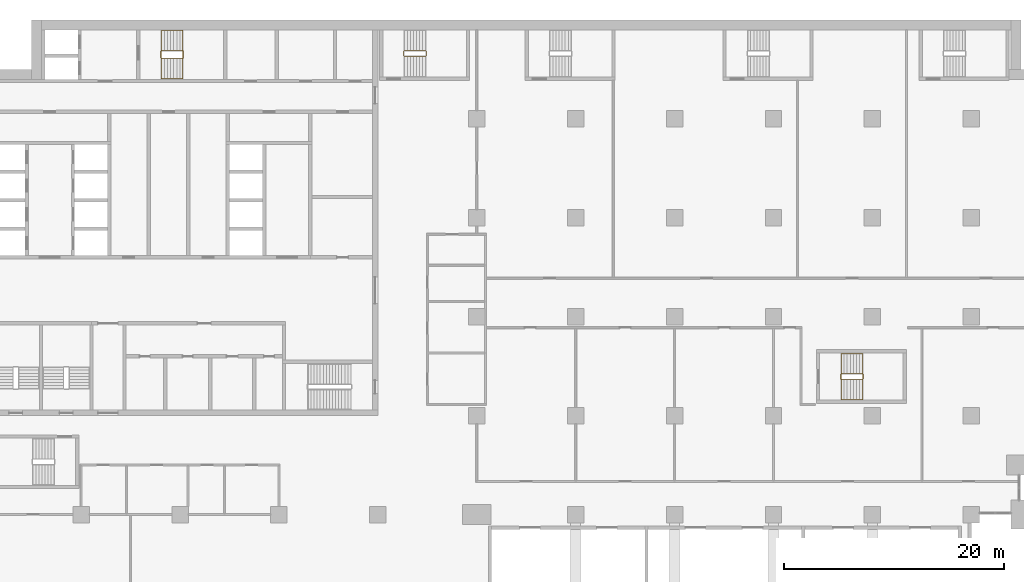
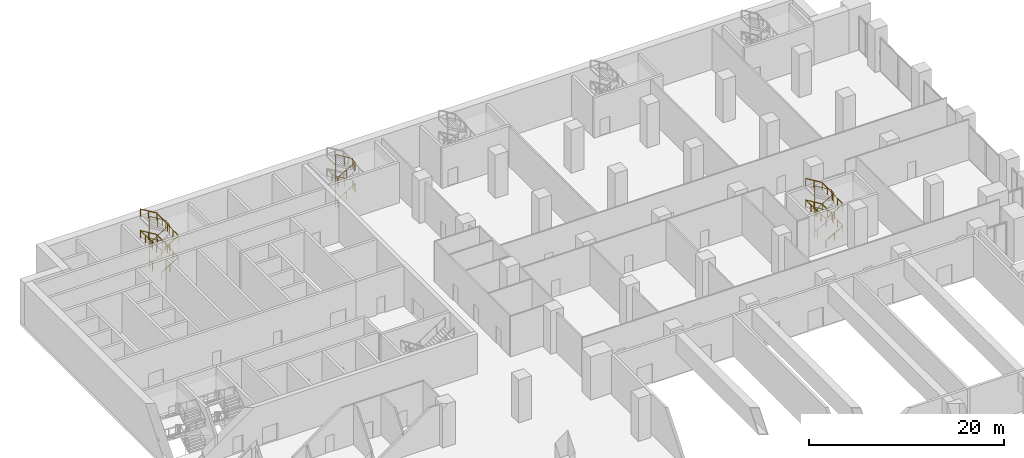
# One storey, part 35 of 43: 5 railings.
"""IFC4 building model written with IfcOpenShell, lengths in metres."""

from ifc_helpers import new_model, si_unit, direction, frame, origin, origin_2d, place, context, subcontext, project, spatial, circle, extrude, material, type_object, element, save


model = new_model("IFC4")

# Units and contexts
model_context = context("Model", 3, precision=1e-05, world=origin(), true_north=direction((0.0, 1.0)))
body_context = subcontext(model_context, "Body", "Model", "MODEL_VIEW")
ifc_project = project(units=[si_unit("LENGTHUNIT", "METRE"), si_unit("AREAUNIT", "SQUARE_METRE"), si_unit("VOLUMEUNIT", "CUBIC_METRE"), si_unit("PLANEANGLEUNIT", "RADIAN"), si_unit("MASSUNIT", "GRAM", prefix="KILO")], contexts=[model_context])

# Site, building, storey
site_placement = place(None, origin())
site = spatial("IfcSite", under=ifc_project, at=site_placement, CompositionType="ELEMENT")
building_placement = place(site_placement, origin())
building = spatial("IfcBuilding", under=site, at=building_placement, Name="Hunhe Ridgeline Campus", CompositionType="ELEMENT")
storey_placement = place(building_placement, frame((0.0, 0.0, 11.39990234375)))
storey = spatial("IfcBuildingStorey", under=building, at=storey_placement, Name="L02", CompositionType="ELEMENT", Elevation=11.39990234375)

# Railings
ifc_material_1 = material(Name="Stainless steel balustrade", Category="steel")
railing_type_1 = type_object("IfcRailingType", Name="Stair guard 1100 stainless", PredefinedType="GUARDRAIL", material=ifc_material_1)
railing_1_placement = place(storey_placement, frame((16.300048828125, 95.5, 0.1689453125)))
element("IfcRailing", 1, at=railing_1_placement, inside=storey, type_object=railing_type_1, Name="L02 stair S1 guard", PredefinedType="GUARDRAIL", context=body_context, shape_type="SweptSolid", body=[
    extrude(circle(Radius=0.02392578125, at=origin_2d()), frame((0.0, 0.0, 1.076171875), z_axis=(0.856493463811, 0.0, 0.516157869696), x_axis=(0.0, 1.0, 0.0)), (0.0, 0.0, 1.0), 2.288330078125),
    extrude(circle(Radius=0.02392578125, at=origin_2d()), frame((1.9599609375, 0.0, 2.25732421875), z_axis=(0.707106781187, 0.707106781187, 0.0), x_axis=(-0.707106781187, 0.707106781187, 0.0)), (0.0, 0.0, 1.0), 0.07080078125),
    extrude(circle(Radius=0.02392578125, at=origin_2d()), frame((2.010009765625, 0.050048828125, 2.25732421875), z_axis=(0.0, 1.0, 0.0), x_axis=(-1.0, 0.0, 0.0)), (0.0, 0.0, 1.0), 0.599853515625),
    extrude(circle(Radius=0.02392578125, at=origin_2d()), frame((2.010009765625, 0.64990234375, 2.25732421875), z_axis=(-0.273569069059, 0.273569069059, 0.922127935218), x_axis=(-0.707106781187, -0.707106781187, 0.0)), (0.0, 0.0, 1.0), 0.182861328125),
    extrude(circle(Radius=0.02392578125, at=origin_2d()), frame((1.9599609375, 0.699951171875, 2.42578125), z_axis=(-0.856446297458, 0.0, 0.516236127728), x_axis=(0.0, -1.0, 0.0)), (0.0, 0.0, 1.0), 2.28857421875),
    extrude(circle(Radius=0.02392578125, at=origin_2d()), frame((0.0, 0.699951171875, 3.607421875), z_axis=(-0.707106781187, -0.707106781187, 0.0), x_axis=(0.707106781187, -0.707106781187, 0.0)), (0.0, 0.0, 1.0), 0.07080078125),
    extrude(circle(Radius=0.02392578125, at=origin_2d()), frame((-0.050048828125, 0.64990234375, 3.607421875), z_axis=(0.0, -1.0, 0.0), x_axis=(1.0, 0.0, 0.0)), (0.0, 0.0, 1.0), 0.599853515625),
    extrude(circle(Radius=0.02392578125, at=origin_2d()), frame((-0.050048828125, 0.050048828125, 3.607421875), z_axis=(0.273569069059, -0.273569069059, 0.922127935218), x_axis=(0.707106781187, 0.707106781187, 0.0)), (0.0, 0.0, 1.0), 0.182861328125),
    extrude(circle(Radius=0.02392578125, at=origin_2d()), frame((0.0, 0.0, 3.77587890625), z_axis=(0.856493463811, 0.0, 0.516157869696), x_axis=(0.0, 1.0, 0.0)), (0.0, 0.0, 1.0), 2.288330078125),
    extrude(circle(Radius=0.02392578125, at=origin_2d()), frame((1.9599609375, 0.0, 4.95703125), z_axis=(0.707106781187, 0.707106781187, 0.0), x_axis=(-0.707106781187, 0.707106781187, 0.0)), (0.0, 0.0, 1.0), 0.07080078125),
    extrude(circle(Radius=0.02392578125, at=origin_2d()), frame((2.010009765625, 0.050048828125, 4.95703125), z_axis=(0.0, 1.0, 0.0), x_axis=(-1.0, 0.0, 0.0)), (0.0, 0.0, 1.0), 0.599853515625),
    extrude(circle(Radius=0.02392578125, at=origin_2d()), frame((2.010009765625, 0.64990234375, 4.95703125), z_axis=(-0.273569069059, 0.273569069059, 0.922127935218), x_axis=(-0.707106781187, -0.707106781187, 0.0)), (0.0, 0.0, 1.0), 0.182861328125),
    extrude(circle(Radius=0.02392578125, at=origin_2d()), frame((1.9599609375, 0.699951171875, 5.1259765625), z_axis=(-0.856446297458, 0.0, 0.516236127728), x_axis=(0.0, -1.0, 0.0)), (0.0, 0.0, 1.0), 2.28857421875),
    extrude(circle(Radius=0.02392578125, at=origin_2d()), frame((0.0, 0.699951171875, 6.30712890625), z_axis=(-0.0092672541, -0.0092672541, -0.999914114313), x_axis=(1.0, 0.0, 0.0)), (0.0, 0.0, 1.0), 5.400634765625),
    extrude(circle(Radius=0.02392578125, at=origin_2d()), frame((-0.050048828125, 0.64990234375, 0.9072265625), z_axis=(0.0, -1.0, 0.0), x_axis=(1.0, 0.0, 0.0)), (0.0, 0.0, 1.0), 0.599853515625),
    extrude(circle(Radius=0.02099609375, at=origin_2d()), origin(), (0.0, 0.0, 1.0), 1.052001953125),
    extrude(circle(Radius=0.02099609375, at=origin_2d()), frame((0.97998046875, 0.0, 0.590576171875)), (0.0, 0.0, 1.0), 1.052001953125),
    extrude(circle(Radius=0.02099609375, at=origin_2d()), frame((1.9599609375, 0.0, 1.18115234375)), (0.0, 0.0, 1.0), 1.052001953125),
    extrude(circle(Radius=0.02099609375, at=origin_2d()), frame((2.010009765625, 0.050048828125, 1.18115234375)), (0.0, 0.0, 1.0), 1.052001953125),
    extrude(circle(Radius=0.02099609375, at=origin_2d()), frame((2.010009765625, 0.64990234375, 1.18115234375)), (0.0, 0.0, 1.0), 1.052001953125),
    extrude(circle(Radius=0.02099609375, at=origin_2d()), frame((1.9599609375, 0.699951171875, 1.349853515625)), (0.0, 0.0, 1.0), 1.052001953125),
    extrude(circle(Radius=0.02099609375, at=origin_2d()), frame((0.97998046875, 0.699951171875, 1.9404296875)), (0.0, 0.0, 1.0), 1.052001953125),
    extrude(circle(Radius=0.02099609375, at=origin_2d()), frame((0.0, 0.699951171875, 2.53125)), (0.0, 0.0, 1.0), 1.052001953125),
    extrude(circle(Radius=0.02099609375, at=origin_2d()), frame((-0.050048828125, 0.64990234375, 2.53125)), (0.0, 0.0, 1.0), 1.052001953125),
    extrude(circle(Radius=0.02099609375, at=origin_2d()), frame((-0.050048828125, 0.050048828125, 2.53125)), (0.0, 0.0, 1.0), 1.052001953125),
    extrude(circle(Radius=0.02099609375, at=origin_2d()), frame((0.0, 0.0, 2.699951171875)), (0.0, 0.0, 1.0), 1.052001953125),
    extrude(circle(Radius=0.02099609375, at=origin_2d()), frame((0.97998046875, 0.0, 3.29052734375)), (0.0, 0.0, 1.0), 1.052001953125),
    extrude(circle(Radius=0.02099609375, at=origin_2d()), frame((1.9599609375, 0.0, 3.881103515625)), (0.0, 0.0, 1.0), 1.052001953125),
    extrude(circle(Radius=0.02099609375, at=origin_2d()), frame((2.010009765625, 0.050048828125, 3.881103515625)), (0.0, 0.0, 1.0), 1.052001953125),
    extrude(circle(Radius=0.02099609375, at=origin_2d()), frame((2.010009765625, 0.64990234375, 3.881103515625)), (0.0, 0.0, 1.0), 1.052001953125),
    extrude(circle(Radius=0.02099609375, at=origin_2d()), frame((1.9599609375, 0.699951171875, 4.0498046875)), (0.0, 0.0, 1.0), 1.052001953125),
    extrude(circle(Radius=0.02099609375, at=origin_2d()), frame((0.97998046875, 0.699951171875, 4.640625)), (0.0, 0.0, 1.0), 1.052001953125),
    extrude(circle(Radius=0.02099609375, at=origin_2d()), frame((0.0, 0.699951171875, 5.231201171875)), (0.0, 0.0, 1.0), 1.052001953125),
    extrude(circle(Radius=0.02099609375, at=origin_2d()), frame((-0.010009765625, 0.68994140625, 4.151123046875)), (0.0, 0.0, 1.0), 1.052001953125),
    extrude(circle(Radius=0.02099609375, at=origin_2d()), frame((-0.02001953125, 0.679931640625, 3.071044921875)), (0.0, 0.0, 1.0), 1.052001953125),
    extrude(circle(Radius=0.02099609375, at=origin_2d()), frame((-0.030029296875, 0.669921875, 1.9912109375)), (0.0, 0.0, 1.0), 1.052001953125),
    extrude(circle(Radius=0.02099609375, at=origin_2d()), frame((-0.0400390625, 0.659912109375, 0.9111328125)), (0.0, 0.0, 1.0), 1.052001953125),
    extrude(circle(Radius=0.02099609375, at=origin_2d()), frame((-0.050048828125, 0.64990234375, -0.1689453125)), (0.0, 0.0, 1.0), 1.052001953125),
    extrude(circle(Radius=0.02099609375, at=origin_2d()), frame((-0.050048828125, 0.050048828125, -0.1689453125)), (0.0, 0.0, 1.0), 1.052001953125),
])
railing_2_placement = place(storey_placement, frame((38.39990234375, 95.699951171875, 0.1689453125)))
element("IfcRailing", 2, at=railing_2_placement, inside=storey, type_object=railing_type_1, Name="L02 stair E1 guard", PredefinedType="GUARDRAIL", context=body_context, shape_type="SweptSolid", body=[
    extrude(circle(Radius=0.02392578125, at=origin_2d()), frame((0.0, 0.0, 1.076171875), z_axis=(0.856521883693, 0.0, 0.516110707847), x_axis=(0.0, 1.0, 0.0)), (0.0, 0.0, 1.0), 2.28857421875),
    extrude(circle(Radius=0.02392578125, at=origin_2d()), frame((1.960205078125, 0.0, 2.25732421875), z_axis=(0.705375805398, 0.708833529934, 0.0), x_axis=(-0.708833529934, 0.705375805398, 0.0)), (0.0, 0.0, 1.0), 0.070556640625),
    extrude(circle(Radius=0.02392578125, at=origin_2d()), frame((2.010009765625, 0.050048828125, 2.25732421875), z_axis=(0.0, 1.0, 0.0), x_axis=(-1.0, 0.0, 0.0)), (0.0, 0.0, 1.0), 0.39990234375),
    extrude(circle(Radius=0.02392578125, at=origin_2d()), frame((2.010009765625, 0.449951171875, 2.25732421875), z_axis=(-0.272333783174, 0.273668752699, 0.922463942026), x_axis=(-0.708833529934, -0.705375805398, 0.0)), (0.0, 0.0, 1.0), 0.182861328125),
    extrude(circle(Radius=0.02392578125, at=origin_2d()), frame((1.960205078125, 0.5, 2.42578125), z_axis=(-0.856474724393, 0.0, 0.516188963923), x_axis=(0.0, -1.0, 0.0)), (0.0, 0.0, 1.0), 2.28857421875),
    extrude(circle(Radius=0.02392578125, at=origin_2d()), frame((0.0, 0.5, 3.607421875), z_axis=(-0.705375805398, -0.708833529934, 0.0), x_axis=(0.708833529934, -0.705375805398, 0.0)), (0.0, 0.0, 1.0), 0.070556640625),
    extrude(circle(Radius=0.02392578125, at=origin_2d()), frame((-0.0498046875, 0.449951171875, 3.607421875), z_axis=(0.0, -1.0, 0.0), x_axis=(1.0, 0.0, 0.0)), (0.0, 0.0, 1.0), 0.39990234375),
    extrude(circle(Radius=0.02392578125, at=origin_2d()), frame((-0.0498046875, 0.050048828125, 3.607421875), z_axis=(0.272333783174, -0.273668752699, 0.922463942026), x_axis=(0.708833529934, 0.705375805398, 0.0)), (0.0, 0.0, 1.0), 0.182861328125),
    extrude(circle(Radius=0.02392578125, at=origin_2d()), frame((0.0, 0.0, 3.77587890625), z_axis=(0.856521883693, 0.0, 0.516110707847), x_axis=(0.0, 1.0, 0.0)), (0.0, 0.0, 1.0), 2.28857421875),
    extrude(circle(Radius=0.02392578125, at=origin_2d()), frame((1.960205078125, 0.0, 4.95703125), z_axis=(0.705375805398, 0.708833529934, 0.0), x_axis=(-0.708833529934, 0.705375805398, 0.0)), (0.0, 0.0, 1.0), 0.070556640625),
    extrude(circle(Radius=0.02392578125, at=origin_2d()), frame((2.010009765625, 0.050048828125, 4.95703125), z_axis=(0.0, 1.0, 0.0), x_axis=(-1.0, 0.0, 0.0)), (0.0, 0.0, 1.0), 0.39990234375),
    extrude(circle(Radius=0.02392578125, at=origin_2d()), frame((2.010009765625, 0.449951171875, 4.95703125), z_axis=(-0.272333783174, 0.273668752699, 0.922463942026), x_axis=(-0.708833529934, -0.705375805398, 0.0)), (0.0, 0.0, 1.0), 0.182861328125),
    extrude(circle(Radius=0.02392578125, at=origin_2d()), frame((1.960205078125, 0.5, 5.1259765625), z_axis=(-0.856474724393, 0.0, 0.516188963923), x_axis=(0.0, -1.0, 0.0)), (0.0, 0.0, 1.0), 2.28857421875),
    extrude(circle(Radius=0.02392578125, at=origin_2d()), frame((0.0, 0.5, 6.30712890625), z_axis=(-0.009222051836, -0.009267257973, -0.999914532192), x_axis=(1.0, 0.0, 0.0)), (0.0, 0.0, 1.0), 5.400634765625),
    extrude(circle(Radius=0.02392578125, at=origin_2d()), frame((-0.0498046875, 0.449951171875, 0.9072265625), z_axis=(0.0, -1.0, 0.0), x_axis=(1.0, 0.0, 0.0)), (0.0, 0.0, 1.0), 0.39990234375),
    extrude(circle(Radius=0.02099609375, at=origin_2d()), origin(), (0.0, 0.0, 1.0), 1.052001953125),
    extrude(circle(Radius=0.02099609375, at=origin_2d()), frame((0.97998046875, 0.0, 0.590576171875)), (0.0, 0.0, 1.0), 1.052001953125),
    extrude(circle(Radius=0.02099609375, at=origin_2d()), frame((1.960205078125, 0.0, 1.18115234375)), (0.0, 0.0, 1.0), 1.052001953125),
    extrude(circle(Radius=0.02099609375, at=origin_2d()), frame((2.010009765625, 0.050048828125, 1.18115234375)), (0.0, 0.0, 1.0), 1.052001953125),
    extrude(circle(Radius=0.02099609375, at=origin_2d()), frame((2.010009765625, 0.449951171875, 1.18115234375)), (0.0, 0.0, 1.0), 1.052001953125),
    extrude(circle(Radius=0.02099609375, at=origin_2d()), frame((1.960205078125, 0.5, 1.349853515625)), (0.0, 0.0, 1.0), 1.052001953125),
    extrude(circle(Radius=0.02099609375, at=origin_2d()), frame((0.97998046875, 0.5, 1.9404296875)), (0.0, 0.0, 1.0), 1.052001953125),
    extrude(circle(Radius=0.02099609375, at=origin_2d()), frame((0.0, 0.5, 2.53125)), (0.0, 0.0, 1.0), 1.052001953125),
    extrude(circle(Radius=0.02099609375, at=origin_2d()), frame((-0.0498046875, 0.449951171875, 2.53125)), (0.0, 0.0, 1.0), 1.052001953125),
    extrude(circle(Radius=0.02099609375, at=origin_2d()), frame((-0.0498046875, 0.050048828125, 2.53125)), (0.0, 0.0, 1.0), 1.052001953125),
    extrude(circle(Radius=0.02099609375, at=origin_2d()), frame((0.0, 0.0, 2.699951171875)), (0.0, 0.0, 1.0), 1.052001953125),
    extrude(circle(Radius=0.02099609375, at=origin_2d()), frame((0.97998046875, 0.0, 3.29052734375)), (0.0, 0.0, 1.0), 1.052001953125),
    extrude(circle(Radius=0.02099609375, at=origin_2d()), frame((1.960205078125, 0.0, 3.881103515625)), (0.0, 0.0, 1.0), 1.052001953125),
    extrude(circle(Radius=0.02099609375, at=origin_2d()), frame((2.010009765625, 0.050048828125, 3.881103515625)), (0.0, 0.0, 1.0), 1.052001953125),
    extrude(circle(Radius=0.02099609375, at=origin_2d()), frame((2.010009765625, 0.449951171875, 3.881103515625)), (0.0, 0.0, 1.0), 1.052001953125),
    extrude(circle(Radius=0.02099609375, at=origin_2d()), frame((1.960205078125, 0.5, 4.0498046875)), (0.0, 0.0, 1.0), 1.052001953125),
    extrude(circle(Radius=0.02099609375, at=origin_2d()), frame((0.97998046875, 0.5, 4.640625)), (0.0, 0.0, 1.0), 1.052001953125),
    extrude(circle(Radius=0.02099609375, at=origin_2d()), frame((0.0, 0.5, 5.231201171875)), (0.0, 0.0, 1.0), 1.052001953125),
    extrude(circle(Radius=0.02099609375, at=origin_2d()), frame((-0.010009765625, 0.489990234375, 4.151123046875)), (0.0, 0.0, 1.0), 1.052001953125),
    extrude(circle(Radius=0.02099609375, at=origin_2d()), frame((-0.02001953125, 0.47998046875, 3.071044921875)), (0.0, 0.0, 1.0), 1.052001953125),
    extrude(circle(Radius=0.02099609375, at=origin_2d()), frame((-0.02978515625, 0.469970703125, 1.9912109375)), (0.0, 0.0, 1.0), 1.052001953125),
    extrude(circle(Radius=0.02099609375, at=origin_2d()), frame((-0.039794921875, 0.4599609375, 0.9111328125)), (0.0, 0.0, 1.0), 1.052001953125),
    extrude(circle(Radius=0.02099609375, at=origin_2d()), frame((-0.0498046875, 0.449951171875, -0.1689453125)), (0.0, 0.0, 1.0), 1.052001953125),
    extrude(circle(Radius=0.02099609375, at=origin_2d()), frame((-0.0498046875, 0.050048828125, -0.1689453125)), (0.0, 0.0, 1.0), 1.052001953125),
])
railing_3_placement = place(storey_placement, frame((78.14990234375, 66.300048828125, 0.1689453125)))
element("IfcRailing", 3, at=railing_3_placement, inside=storey, type_object=railing_type_1, Name="L02 stair E5 guard", PredefinedType="GUARDRAIL", context=body_context, shape_type="SweptSolid", body=[
    extrude(circle(Radius=0.02392578125, at=origin_2d()), frame((0.0, 0.0, 1.076171875), z_axis=(0.856521883693, 0.0, 0.516110707847), x_axis=(0.0, 1.0, 0.0)), (0.0, 0.0, 1.0), 2.28857421875),
    extrude(circle(Radius=0.02392578125, at=origin_2d()), frame((1.960205078125, 0.0, 2.25732421875), z_axis=(0.705375805398, 0.708833529934, 0.0), x_axis=(-0.708833529934, 0.705375805398, 0.0)), (0.0, 0.0, 1.0), 0.070556640625),
    extrude(circle(Radius=0.02392578125, at=origin_2d()), frame((2.010009765625, 0.050048828125, 2.25732421875), z_axis=(0.0, 1.0, 0.0), x_axis=(-1.0, 0.0, 0.0)), (0.0, 0.0, 1.0), 0.39990234375),
    extrude(circle(Radius=0.02392578125, at=origin_2d()), frame((2.010009765625, 0.449951171875, 2.25732421875), z_axis=(-0.272333783174, 0.273668752699, 0.922463942026), x_axis=(-0.708833529934, -0.705375805398, 0.0)), (0.0, 0.0, 1.0), 0.182861328125),
    extrude(circle(Radius=0.02392578125, at=origin_2d()), frame((1.960205078125, 0.5, 2.42578125), z_axis=(-0.856474724393, 0.0, 0.516188963923), x_axis=(0.0, -1.0, 0.0)), (0.0, 0.0, 1.0), 2.28857421875),
    extrude(circle(Radius=0.02392578125, at=origin_2d()), frame((0.0, 0.5, 3.607421875), z_axis=(-0.705375805398, -0.708833529934, 0.0), x_axis=(0.708833529934, -0.705375805398, 0.0)), (0.0, 0.0, 1.0), 0.070556640625),
    extrude(circle(Radius=0.02392578125, at=origin_2d()), frame((-0.0498046875, 0.449951171875, 3.607421875), z_axis=(0.0, -1.0, 0.0), x_axis=(1.0, 0.0, 0.0)), (0.0, 0.0, 1.0), 0.39990234375),
    extrude(circle(Radius=0.02392578125, at=origin_2d()), frame((-0.0498046875, 0.050048828125, 3.607421875), z_axis=(0.272333783174, -0.273668752699, 0.922463942026), x_axis=(0.708833529934, 0.705375805398, 0.0)), (0.0, 0.0, 1.0), 0.182861328125),
    extrude(circle(Radius=0.02392578125, at=origin_2d()), frame((0.0, 0.0, 3.77587890625), z_axis=(0.856521883693, 0.0, 0.516110707847), x_axis=(0.0, 1.0, 0.0)), (0.0, 0.0, 1.0), 2.28857421875),
    extrude(circle(Radius=0.02392578125, at=origin_2d()), frame((1.960205078125, 0.0, 4.95703125), z_axis=(0.705375805398, 0.708833529934, 0.0), x_axis=(-0.708833529934, 0.705375805398, 0.0)), (0.0, 0.0, 1.0), 0.070556640625),
    extrude(circle(Radius=0.02392578125, at=origin_2d()), frame((2.010009765625, 0.050048828125, 4.95703125), z_axis=(0.0, 1.0, 0.0), x_axis=(-1.0, 0.0, 0.0)), (0.0, 0.0, 1.0), 0.39990234375),
    extrude(circle(Radius=0.02392578125, at=origin_2d()), frame((2.010009765625, 0.449951171875, 4.95703125), z_axis=(-0.272333783174, 0.273668752699, 0.922463942026), x_axis=(-0.708833529934, -0.705375805398, 0.0)), (0.0, 0.0, 1.0), 0.182861328125),
    extrude(circle(Radius=0.02392578125, at=origin_2d()), frame((1.960205078125, 0.5, 5.1259765625), z_axis=(-0.856474724393, 0.0, 0.516188963923), x_axis=(0.0, -1.0, 0.0)), (0.0, 0.0, 1.0), 2.28857421875),
    extrude(circle(Radius=0.02392578125, at=origin_2d()), frame((0.0, 0.5, 6.30712890625), z_axis=(-0.009222051836, -0.009267257973, -0.999914532192), x_axis=(1.0, 0.0, 0.0)), (0.0, 0.0, 1.0), 5.400634765625),
    extrude(circle(Radius=0.02392578125, at=origin_2d()), frame((-0.0498046875, 0.449951171875, 0.9072265625), z_axis=(0.0, -1.0, 0.0), x_axis=(1.0, 0.0, 0.0)), (0.0, 0.0, 1.0), 0.39990234375),
    extrude(circle(Radius=0.02099609375, at=origin_2d()), origin(), (0.0, 0.0, 1.0), 1.052001953125),
    extrude(circle(Radius=0.02099609375, at=origin_2d()), frame((0.97998046875, 0.0, 0.590576171875)), (0.0, 0.0, 1.0), 1.052001953125),
    extrude(circle(Radius=0.02099609375, at=origin_2d()), frame((1.960205078125, 0.0, 1.18115234375)), (0.0, 0.0, 1.0), 1.052001953125),
    extrude(circle(Radius=0.02099609375, at=origin_2d()), frame((2.010009765625, 0.050048828125, 1.18115234375)), (0.0, 0.0, 1.0), 1.052001953125),
    extrude(circle(Radius=0.02099609375, at=origin_2d()), frame((2.010009765625, 0.449951171875, 1.18115234375)), (0.0, 0.0, 1.0), 1.052001953125),
    extrude(circle(Radius=0.02099609375, at=origin_2d()), frame((1.960205078125, 0.5, 1.349853515625)), (0.0, 0.0, 1.0), 1.052001953125),
    extrude(circle(Radius=0.02099609375, at=origin_2d()), frame((0.97998046875, 0.5, 1.9404296875)), (0.0, 0.0, 1.0), 1.052001953125),
    extrude(circle(Radius=0.02099609375, at=origin_2d()), frame((0.0, 0.5, 2.53125)), (0.0, 0.0, 1.0), 1.052001953125),
    extrude(circle(Radius=0.02099609375, at=origin_2d()), frame((-0.0498046875, 0.449951171875, 2.53125)), (0.0, 0.0, 1.0), 1.052001953125),
    extrude(circle(Radius=0.02099609375, at=origin_2d()), frame((-0.0498046875, 0.050048828125, 2.53125)), (0.0, 0.0, 1.0), 1.052001953125),
    extrude(circle(Radius=0.02099609375, at=origin_2d()), frame((0.0, 0.0, 2.699951171875)), (0.0, 0.0, 1.0), 1.052001953125),
    extrude(circle(Radius=0.02099609375, at=origin_2d()), frame((0.97998046875, 0.0, 3.29052734375)), (0.0, 0.0, 1.0), 1.052001953125),
    extrude(circle(Radius=0.02099609375, at=origin_2d()), frame((1.960205078125, 0.0, 3.881103515625)), (0.0, 0.0, 1.0), 1.052001953125),
    extrude(circle(Radius=0.02099609375, at=origin_2d()), frame((2.010009765625, 0.050048828125, 3.881103515625)), (0.0, 0.0, 1.0), 1.052001953125),
    extrude(circle(Radius=0.02099609375, at=origin_2d()), frame((2.010009765625, 0.449951171875, 3.881103515625)), (0.0, 0.0, 1.0), 1.052001953125),
    extrude(circle(Radius=0.02099609375, at=origin_2d()), frame((1.960205078125, 0.5, 4.0498046875)), (0.0, 0.0, 1.0), 1.052001953125),
    extrude(circle(Radius=0.02099609375, at=origin_2d()), frame((0.97998046875, 0.5, 4.640625)), (0.0, 0.0, 1.0), 1.052001953125),
    extrude(circle(Radius=0.02099609375, at=origin_2d()), frame((0.0, 0.5, 5.231201171875)), (0.0, 0.0, 1.0), 1.052001953125),
    extrude(circle(Radius=0.02099609375, at=origin_2d()), frame((-0.010009765625, 0.489990234375, 4.151123046875)), (0.0, 0.0, 1.0), 1.052001953125),
    extrude(circle(Radius=0.02099609375, at=origin_2d()), frame((-0.02001953125, 0.47998046875, 3.071044921875)), (0.0, 0.0, 1.0), 1.052001953125),
    extrude(circle(Radius=0.02099609375, at=origin_2d()), frame((-0.02978515625, 0.469970703125, 1.9912109375)), (0.0, 0.0, 1.0), 1.052001953125),
    extrude(circle(Radius=0.02099609375, at=origin_2d()), frame((-0.039794921875, 0.4599609375, 0.9111328125)), (0.0, 0.0, 1.0), 1.052001953125),
    extrude(circle(Radius=0.02099609375, at=origin_2d()), frame((-0.0498046875, 0.449951171875, -0.1689453125)), (0.0, 0.0, 1.0), 1.052001953125),
    extrude(circle(Radius=0.02099609375, at=origin_2d()), frame((-0.0498046875, 0.050048828125, -0.1689453125)), (0.0, 0.0, 1.0), 1.052001953125),
])
ifc_material_2 = material(Name="Stainless steel handrail", Category="steel")
railing_type_2 = type_object("IfcRailingType", Name="Stair handrail 900 stainless", PredefinedType="HANDRAIL", material=ifc_material_2)
railing_4_placement = place(storey_placement, frame((16.300048828125, 93.64990234375, 0.1689453125)))
element("IfcRailing", 4, at=railing_4_placement, inside=storey, type_object=railing_type_2, Name="L02 stair S1 handrail", PredefinedType="HANDRAIL", context=body_context, shape_type="SweptSolid", body=[
    extrude(circle(Radius=0.02392578125, at=origin_2d()), frame((0.0, 0.0, 0.8759765625), z_axis=(0.856493463811, 0.0, 0.516157869696), x_axis=(0.0, 1.0, 0.0)), (0.0, 0.0, 1.0), 2.288330078125),
    extrude(circle(Radius=0.02392578125, at=origin_2d()), frame((1.9599609375, 0.0, 2.05712890625), z_axis=(0.0, 0.99926583536, 0.03831175122), x_axis=(-1.0, 0.0, 0.0)), (0.0, 0.0, 1.0), 4.4033203125),
    extrude(circle(Radius=0.02392578125, at=origin_2d()), frame((1.9599609375, 4.400146484375, 2.2255859375), z_axis=(-0.856446297458, 0.0, 0.516236127728), x_axis=(0.0, -1.0, 0.0)), (0.0, 0.0, 1.0), 2.28857421875),
    extrude(circle(Radius=0.02392578125, at=origin_2d()), frame((0.0, 4.400146484375, 3.4072265625), z_axis=(0.0, -0.99926583536, 0.03831175122), x_axis=(1.0, 0.0, 0.0)), (0.0, 0.0, 1.0), 4.4033203125),
    extrude(circle(Radius=0.02392578125, at=origin_2d()), frame((0.0, 0.0, 3.57568359375), z_axis=(0.856493463811, 0.0, 0.516157869696), x_axis=(0.0, 1.0, 0.0)), (0.0, 0.0, 1.0), 2.288330078125),
    extrude(circle(Radius=0.02392578125, at=origin_2d()), frame((1.9599609375, 0.0, 4.7568359375), z_axis=(0.0, 0.99926583536, 0.03831175122), x_axis=(-1.0, 0.0, 0.0)), (0.0, 0.0, 1.0), 4.4033203125),
    extrude(circle(Radius=0.02392578125, at=origin_2d()), frame((1.9599609375, 4.400146484375, 4.92578125), z_axis=(-0.856446297458, 0.0, 0.516236127728), x_axis=(0.0, -1.0, 0.0)), (0.0, 0.0, 1.0), 2.28857421875),
    extrude(circle(Radius=0.02099609375, at=origin_2d()), origin(), (0.0, 0.0, 1.0), 0.851806640625),
    extrude(circle(Radius=0.02099609375, at=origin_2d()), frame((0.97998046875, 0.0, 0.590576171875)), (0.0, 0.0, 1.0), 0.851806640625),
    extrude(circle(Radius=0.02099609375, at=origin_2d()), frame((1.9599609375, 0.0, 1.18115234375)), (0.0, 0.0, 1.0), 0.851806640625),
    extrude(circle(Radius=0.02099609375, at=origin_2d()), frame((1.9599609375, 1.10009765625, 1.223388671875)), (0.0, 0.0, 1.0), 0.851806640625),
    extrude(circle(Radius=0.02099609375, at=origin_2d()), frame((1.9599609375, 2.2001953125, 1.265625)), (0.0, 0.0, 1.0), 0.851806640625),
    extrude(circle(Radius=0.02099609375, at=origin_2d()), frame((1.9599609375, 3.300048828125, 1.3076171875)), (0.0, 0.0, 1.0), 0.851806640625),
    extrude(circle(Radius=0.02099609375, at=origin_2d()), frame((1.9599609375, 4.400146484375, 1.349853515625)), (0.0, 0.0, 1.0), 0.851806640625),
    extrude(circle(Radius=0.02099609375, at=origin_2d()), frame((0.97998046875, 4.400146484375, 1.9404296875)), (0.0, 0.0, 1.0), 0.851806640625),
    extrude(circle(Radius=0.02099609375, at=origin_2d()), frame((0.0, 4.400146484375, 2.53125)), (0.0, 0.0, 1.0), 0.851806640625),
    extrude(circle(Radius=0.02099609375, at=origin_2d()), frame((0.0, 3.300048828125, 2.573486328125)), (0.0, 0.0, 1.0), 0.851806640625),
    extrude(circle(Radius=0.02099609375, at=origin_2d()), frame((0.0, 2.2001953125, 2.61572265625)), (0.0, 0.0, 1.0), 0.851806640625),
    extrude(circle(Radius=0.02099609375, at=origin_2d()), frame((0.0, 1.10009765625, 2.65771484375)), (0.0, 0.0, 1.0), 0.851806640625),
    extrude(circle(Radius=0.02099609375, at=origin_2d()), frame((0.0, 0.0, 2.699951171875)), (0.0, 0.0, 1.0), 0.851806640625),
    extrude(circle(Radius=0.02099609375, at=origin_2d()), frame((0.97998046875, 0.0, 3.29052734375)), (0.0, 0.0, 1.0), 0.851806640625),
    extrude(circle(Radius=0.02099609375, at=origin_2d()), frame((1.9599609375, 0.0, 3.881103515625)), (0.0, 0.0, 1.0), 0.851806640625),
    extrude(circle(Radius=0.02099609375, at=origin_2d()), frame((1.9599609375, 1.10009765625, 3.92333984375)), (0.0, 0.0, 1.0), 0.851806640625),
    extrude(circle(Radius=0.02099609375, at=origin_2d()), frame((1.9599609375, 2.2001953125, 3.96533203125)), (0.0, 0.0, 1.0), 0.851806640625),
    extrude(circle(Radius=0.02099609375, at=origin_2d()), frame((1.9599609375, 3.300048828125, 4.007568359375)), (0.0, 0.0, 1.0), 0.851806640625),
    extrude(circle(Radius=0.02099609375, at=origin_2d()), frame((1.9599609375, 4.400146484375, 4.0498046875)), (0.0, 0.0, 1.0), 0.851806640625),
    extrude(circle(Radius=0.02099609375, at=origin_2d()), frame((0.97998046875, 4.400146484375, 4.640625)), (0.0, 0.0, 1.0), 0.851806640625),
    extrude(circle(Radius=0.02099609375, at=origin_2d()), frame((0.0, 4.400146484375, 5.231201171875)), (0.0, 0.0, 1.0), 0.851806640625),
])
railing_5_placement = place(storey_placement, frame((78.14990234375, 64.449951171875, 0.1689453125)))
element("IfcRailing", 5, at=railing_5_placement, inside=storey, type_object=railing_type_2, Name="L02 stair E5 handrail", PredefinedType="HANDRAIL", context=body_context, shape_type="SweptSolid", body=[
    extrude(circle(Radius=0.02392578125, at=origin_2d()), frame((0.0, 0.0, 0.8759765625), z_axis=(0.856521883693, 0.0, 0.516110707847), x_axis=(0.0, 1.0, 0.0)), (0.0, 0.0, 1.0), 2.28857421875),
    extrude(circle(Radius=0.02392578125, at=origin_2d()), frame((1.960205078125, 0.0, 2.05712890625), z_axis=(0.0, 0.999194264342, 0.040135048344), x_axis=(-1.0, 0.0, 0.0)), (0.0, 0.0, 1.0), 4.203369140625),
    extrude(circle(Radius=0.02392578125, at=origin_2d()), frame((1.960205078125, 4.199951171875, 2.2255859375), z_axis=(-0.856474724393, 0.0, 0.516188963923), x_axis=(0.0, -1.0, 0.0)), (0.0, 0.0, 1.0), 2.28857421875),
    extrude(circle(Radius=0.02392578125, at=origin_2d()), frame((0.0, 4.199951171875, 3.4072265625), z_axis=(0.0, -0.999194264342, 0.040135048344), x_axis=(1.0, 0.0, 0.0)), (0.0, 0.0, 1.0), 4.203369140625),
    extrude(circle(Radius=0.02392578125, at=origin_2d()), frame((0.0, 0.0, 3.57568359375), z_axis=(0.856521883693, 0.0, 0.516110707847), x_axis=(0.0, 1.0, 0.0)), (0.0, 0.0, 1.0), 2.28857421875),
    extrude(circle(Radius=0.02392578125, at=origin_2d()), frame((1.960205078125, 0.0, 4.7568359375), z_axis=(0.0, 0.999194264342, 0.040135048344), x_axis=(-1.0, 0.0, 0.0)), (0.0, 0.0, 1.0), 4.203369140625),
    extrude(circle(Radius=0.02392578125, at=origin_2d()), frame((1.960205078125, 4.199951171875, 4.92578125), z_axis=(-0.856474724393, 0.0, 0.516188963923), x_axis=(0.0, -1.0, 0.0)), (0.0, 0.0, 1.0), 2.28857421875),
    extrude(circle(Radius=0.02099609375, at=origin_2d()), origin(), (0.0, 0.0, 1.0), 0.851806640625),
    extrude(circle(Radius=0.02099609375, at=origin_2d()), frame((0.97998046875, 0.0, 0.590576171875)), (0.0, 0.0, 1.0), 0.851806640625),
    extrude(circle(Radius=0.02099609375, at=origin_2d()), frame((1.960205078125, 0.0, 1.18115234375)), (0.0, 0.0, 1.0), 0.851806640625),
    extrude(circle(Radius=0.02099609375, at=origin_2d()), frame((1.960205078125, 1.050048828125, 1.223388671875)), (0.0, 0.0, 1.0), 0.851806640625),
    extrude(circle(Radius=0.02099609375, at=origin_2d()), frame((1.960205078125, 2.10009765625, 1.265625)), (0.0, 0.0, 1.0), 0.851806640625),
    extrude(circle(Radius=0.02099609375, at=origin_2d()), frame((1.960205078125, 3.14990234375, 1.3076171875)), (0.0, 0.0, 1.0), 0.851806640625),
    extrude(circle(Radius=0.02099609375, at=origin_2d()), frame((1.960205078125, 4.199951171875, 1.349853515625)), (0.0, 0.0, 1.0), 0.851806640625),
    extrude(circle(Radius=0.02099609375, at=origin_2d()), frame((0.97998046875, 4.199951171875, 1.9404296875)), (0.0, 0.0, 1.0), 0.851806640625),
    extrude(circle(Radius=0.02099609375, at=origin_2d()), frame((0.0, 4.199951171875, 2.53125)), (0.0, 0.0, 1.0), 0.851806640625),
    extrude(circle(Radius=0.02099609375, at=origin_2d()), frame((0.0, 3.14990234375, 2.573486328125)), (0.0, 0.0, 1.0), 0.851806640625),
    extrude(circle(Radius=0.02099609375, at=origin_2d()), frame((0.0, 2.10009765625, 2.61572265625)), (0.0, 0.0, 1.0), 0.851806640625),
    extrude(circle(Radius=0.02099609375, at=origin_2d()), frame((0.0, 1.050048828125, 2.65771484375)), (0.0, 0.0, 1.0), 0.851806640625),
    extrude(circle(Radius=0.02099609375, at=origin_2d()), frame((0.0, 0.0, 2.699951171875)), (0.0, 0.0, 1.0), 0.851806640625),
    extrude(circle(Radius=0.02099609375, at=origin_2d()), frame((0.97998046875, 0.0, 3.29052734375)), (0.0, 0.0, 1.0), 0.851806640625),
    extrude(circle(Radius=0.02099609375, at=origin_2d()), frame((1.960205078125, 0.0, 3.881103515625)), (0.0, 0.0, 1.0), 0.851806640625),
    extrude(circle(Radius=0.02099609375, at=origin_2d()), frame((1.960205078125, 1.050048828125, 3.92333984375)), (0.0, 0.0, 1.0), 0.851806640625),
    extrude(circle(Radius=0.02099609375, at=origin_2d()), frame((1.960205078125, 2.10009765625, 3.96533203125)), (0.0, 0.0, 1.0), 0.851806640625),
    extrude(circle(Radius=0.02099609375, at=origin_2d()), frame((1.960205078125, 3.14990234375, 4.007568359375)), (0.0, 0.0, 1.0), 0.851806640625),
    extrude(circle(Radius=0.02099609375, at=origin_2d()), frame((1.960205078125, 4.199951171875, 4.0498046875)), (0.0, 0.0, 1.0), 0.851806640625),
    extrude(circle(Radius=0.02099609375, at=origin_2d()), frame((0.97998046875, 4.199951171875, 4.640625)), (0.0, 0.0, 1.0), 0.851806640625),
    extrude(circle(Radius=0.02099609375, at=origin_2d()), frame((0.0, 4.199951171875, 5.231201171875)), (0.0, 0.0, 1.0), 0.851806640625),
])

save(model, "model.ifc")
